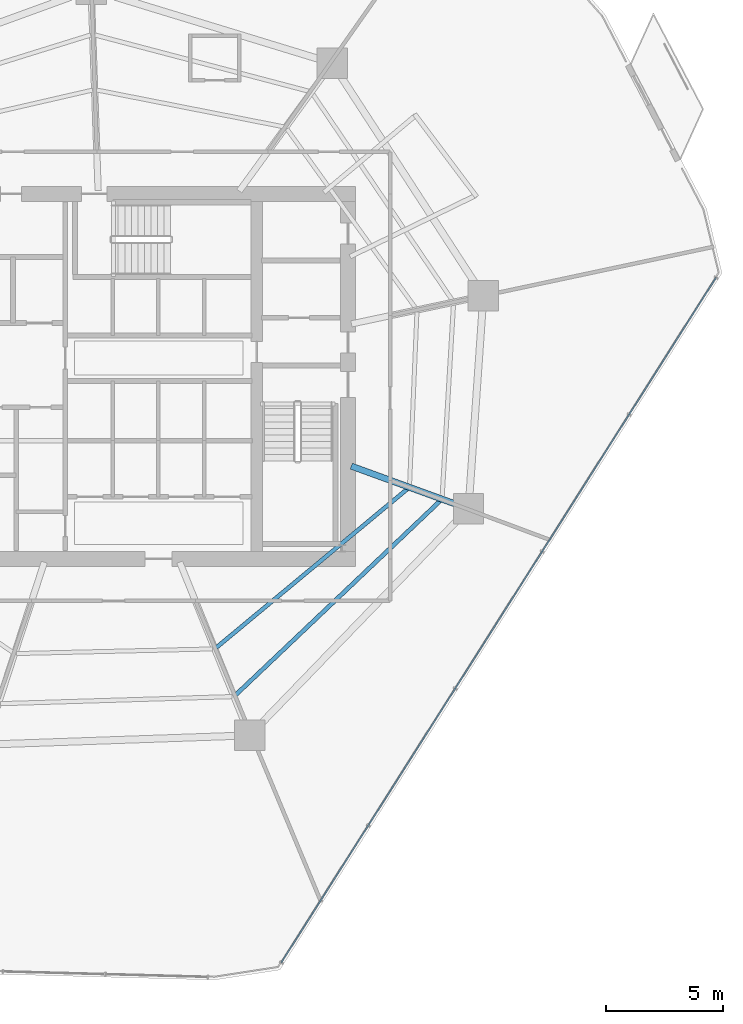
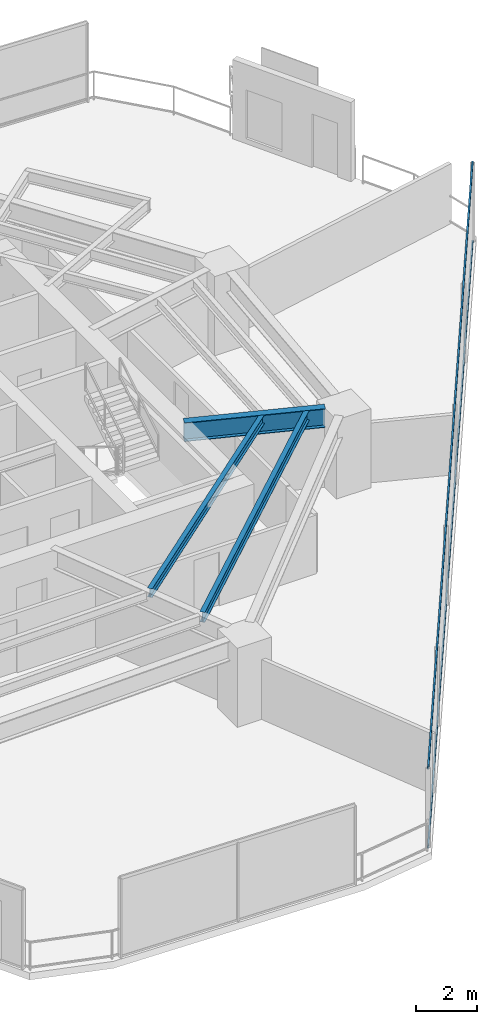
# One storey, part 12 of 30: 3 beams, 2 members, 1 element without a shape of its own.
"""IFC4 building model written with IfcOpenShell, lengths in metres."""

from ifc_helpers import new_model, si_unit, direction, frame, origin, origin_2d, place, context, subcontext, project, spatial, hollow_rectangle, i_section, extrude, material, layer, layer_set, material_profile, profile_set, type_object, element, aggregate, save


model = new_model("IFC4")

# Units and contexts
model_context = context("Model", 3, precision=1e-05, world=origin(), true_north=direction((0.0, 1.0)))
body_context = subcontext(model_context, "Body", "Model", "MODEL_VIEW")
ifc_project = project(units=[si_unit("LENGTHUNIT", "METRE"), si_unit("AREAUNIT", "SQUARE_METRE"), si_unit("VOLUMEUNIT", "CUBIC_METRE"), si_unit("PLANEANGLEUNIT", "RADIAN"), si_unit("MASSUNIT", "GRAM", prefix="KILO")], contexts=[model_context])

# Site, building, storey
site_placement = place(None, origin())
site = spatial("IfcSite", under=ifc_project, at=site_placement, CompositionType="ELEMENT")
building_placement = place(site_placement, origin())
building = spatial("IfcBuilding", under=site, at=building_placement, Name="Qarnah Convention Tower", CompositionType="ELEMENT")
storey_placement = place(building_placement, frame((0.0, 0.0, 58.050048828125)))
storey = spatial("IfcBuildingStorey", under=building, at=storey_placement, Name="L14", CompositionType="ELEMENT", Elevation=58.050048828125)

# Beams
ifc_material_1 = material(Name="Structural steel S355JR", Category="steel")
ifc_material_profile_1 = material_profile(ifc_material_1, i_section(OverallWidth=0.172119140625, OverallDepth=0.35595703125, WebThickness=0.007080078125, FlangeThickness=0.011962890625, at=origin_2d()), Name="W360X51")
ifc_profile_set_1 = profile_set([ifc_material_profile_1], Name="Structural steel S355JR")
beam_type_1 = type_object("IfcBeamType", Name="BM-JST-W360", PredefinedType="JOIST", material=ifc_profile_set_1)
beam_1_placement = place(storey_placement, frame((41.97509765625, 14.80908203125, 2.991943359375), z_axis=(0.769463521511, 0.638690761687, 0.0), x_axis=(-0.638690761687, 0.769463521511, 0.0)))
element("IfcBeam", 1, at=beam_1_placement, inside=storey, type_object=beam_type_1, Name="L14 joist BM-L14-IJST-08", PredefinedType="JOIST", context=body_context, shape_type="SweptSolid", body=[
    extrude(i_section(OverallWidth=0.172119140625, OverallDepth=0.35595703125, WebThickness=0.007080078125, FlangeThickness=0.011962890625, at=origin_2d()), origin(), (0.0, 0.0, 1.0), 10.6357421875),
])
ifc_material_profile_2 = material_profile(ifc_material_1, i_section(OverallWidth=0.177978515625, OverallDepth=0.407958984375, WebThickness=0.008056640625, FlangeThickness=0.012939453125, at=origin_2d()), Name="W410X60")
ifc_profile_set_2 = profile_set([ifc_material_profile_2], Name="Structural steel S355JR")
beam_type_2 = type_object("IfcBeamType", Name="BM-JST-W410", PredefinedType="JOIST", material=ifc_profile_set_2)
beam_2_placement = place(storey_placement, frame((42.7939453125, 12.777099609375, 2.966064453125), z_axis=(0.725372328133, 0.688356728433, 0.0), x_axis=(-0.688356728433, 0.725372328133, 0.0)))
element("IfcBeam", 2, at=beam_2_placement, inside=storey, type_object=beam_type_2, Name="L14 joist BM-L14-SJST-08", PredefinedType="JOIST", context=body_context, shape_type="SweptSolid", body=[
    extrude(i_section(OverallWidth=0.177978515625, OverallDepth=0.407958984375, WebThickness=0.008056640625, FlangeThickness=0.012939453125, at=origin_2d()), origin(), (0.0, 0.0, 1.0), 12.07666015625),
])
ifc_material_profile_3 = material_profile(ifc_material_1, i_section(OverallWidth=0.26806640625, OverallDepth=0.760009765625, WebThickness=0.014892578125, FlangeThickness=0.02197265625, at=origin_2d()), Name="W760X185")
ifc_profile_set_3 = profile_set([ifc_material_profile_3], Name="Structural steel S355JR")
beam_type_3 = type_object("IfcBeamType", Name="BM-RAD-W760", PredefinedType="BEAM", material=ifc_profile_set_3)
beam_3_placement = place(storey_placement, frame((47.740966796875, 22.56396484375, 2.7900390625), z_axis=(0.939656930297, -0.342118186224, 0.0), x_axis=(0.342118186224, 0.939656930297, 0.0)))
element("IfcBeam", 3, at=beam_3_placement, inside=storey, type_object=beam_type_3, Name="L14 beam BM-L14-RAD-09", PredefinedType="BEAM", context=body_context, shape_type="SweptSolid", body=[
    extrude(i_section(OverallWidth=0.26806640625, OverallDepth=0.760009765625, WebThickness=0.014892578125, FlangeThickness=0.02197265625, at=origin_2d()), origin(), (0.0, 0.0, 1.0), 4.70263671875),
])

# Curtain wall, members
ifc_material_2 = material(Name="Tempered Low-E dark glass", Category="glass")
ifc_layer = layer(ifc_material_2, 0.16796875)
ifc_layer_set = layer_set([ifc_layer], Name="Tempered Low-E dark glass")
curtain_wall_type = type_object("IfcCurtainWallType", Name="CWS-01", PredefinedType="NOTDEFINED", material=ifc_layer_set)
curtain_wall_placement = place(storey_placement, origin())
curtain_wall = element("IfcCurtainWall", 4, at=curtain_wall_placement, inside=storey, type_object=curtain_wall_type, Name="L14 unitised curtain wall CW-L14-F2", PredefinedType="NOTDEFINED")
ifc_material_3 = material(Name="Black anodised aluminium", Category="aluminium")
ifc_material_profile_4 = material_profile(ifc_material_3, hollow_rectangle(XDim=0.06005859375, YDim=0.1298828125, WallThickness=0.00390625, at=origin_2d()), Name="TRN-60X130")
ifc_profile_set_4 = profile_set([ifc_material_profile_4], Name="Black anodised aluminium")
member_type = type_object("IfcMemberType", Name="TRN-T1", PredefinedType="USERDEFINED", material=ifc_profile_set_4)
member_1_placement = place(storey_placement, frame((63.3310546875, 30.6220703125, 0.0), z_axis=(-0.535844999984, -0.844316371979, 0.0), x_axis=(0.844316371979, -0.535844999984, 0.0)))
member_1 = element("IfcMember", 5, at=member_1_placement, type_object=member_type, Name="CW-L14-F2 transom 1", ObjectType="TRANSOM", PredefinedType="USERDEFINED", context=body_context, shape_type="SweptSolid", body=[
    extrude(hollow_rectangle(XDim=0.06005859375, YDim=0.1298828125, WallThickness=0.00390625, at=origin_2d()), origin(), (0.0, 0.0, 1.0), 34.67431640625),
])
member_2_placement = place(storey_placement, frame((63.3310546875, 30.6220703125, 3.169921875), z_axis=(-0.535844999984, -0.844316371979, 0.0), x_axis=(0.844316371979, -0.535844999984, 0.0)))
member_2 = element("IfcMember", 6, at=member_2_placement, type_object=member_type, Name="CW-L14-F2 transom 2", ObjectType="TRANSOM", PredefinedType="USERDEFINED", context=body_context, shape_type="SweptSolid", body=[
    extrude(hollow_rectangle(XDim=0.06005859375, YDim=0.1298828125, WallThickness=0.00390625, at=origin_2d()), origin(), (0.0, 0.0, 1.0), 34.67431640625),
])
aggregate(curtain_wall, [member_1, member_2])

save(model, "model.ifc")
